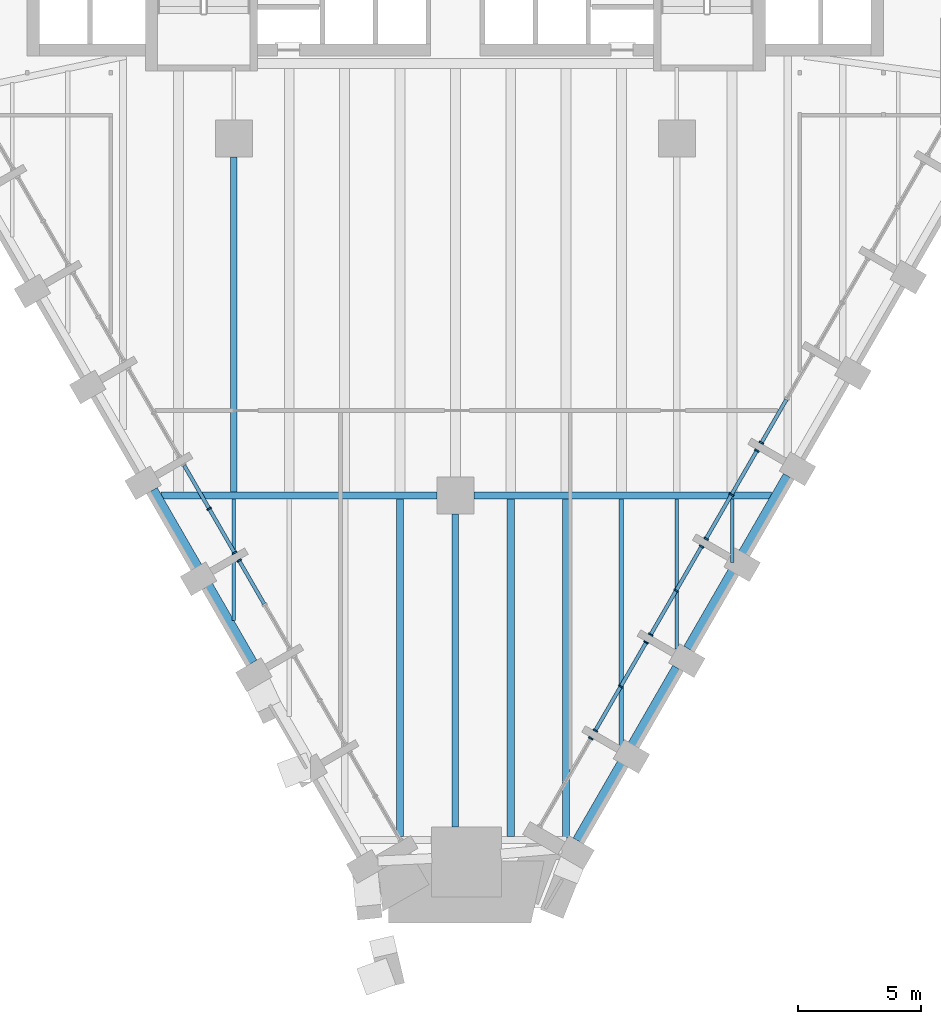
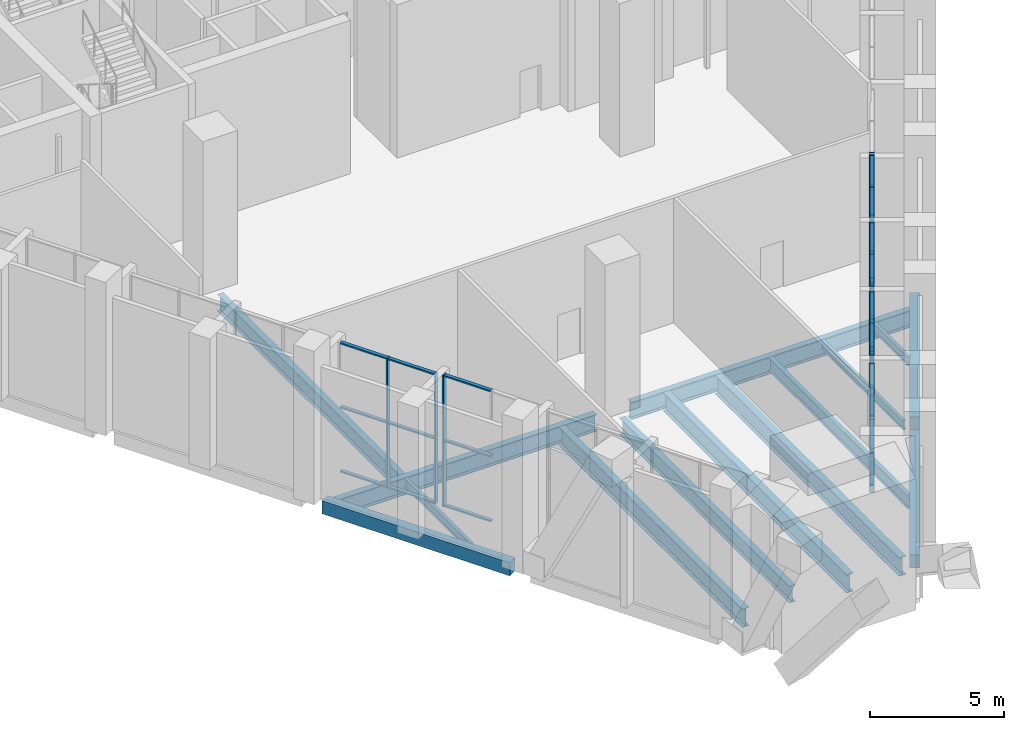
# One storey, part 3 of 17: 43 members, 14 beams, 7 elements without a shape of their own.
"""IFC4 building model written with IfcOpenShell, lengths in metres."""

from ifc_helpers import new_model, si_unit, direction, frame, origin, origin_2d, place, context, subcontext, project, spatial, rectangle, i_section, extrude, material, material_profile, profile_set, type_object, element, aggregate, save


model = new_model("IFC4")

# Units and contexts
model_context = context("Model", 3, precision=1e-05, world=origin(), true_north=direction((0.0, 1.0)))
body_context = subcontext(model_context, "Body", "Model", "MODEL_VIEW")
ifc_project = project(units=[si_unit("LENGTHUNIT", "METRE"), si_unit("AREAUNIT", "SQUARE_METRE"), si_unit("VOLUMEUNIT", "CUBIC_METRE"), si_unit("PLANEANGLEUNIT", "RADIAN"), si_unit("MASSUNIT", "GRAM", prefix="KILO")], contexts=[model_context])

# Site, building, storey
site_placement = place(None, origin())
site = spatial("IfcSite", under=ifc_project, at=site_placement, CompositionType="ELEMENT")
building_placement = place(site_placement, origin())
building = spatial("IfcBuilding", under=site, at=building_placement, Name="Calabash Gate Tower", CompositionType="ELEMENT")
storey_placement = place(building_placement, frame((0.0, 0.0, 132.60009765625)))
storey = spatial("IfcBuildingStorey", under=building, at=storey_placement, Name="L31", CompositionType="ELEMENT", Elevation=132.60009765625)

# Beams
ifc_material_1 = material(Name="Concrete C60/75", Category="concrete")
ifc_material_profile_1 = material_profile(ifc_material_1, rectangle(XDim=0.39990234375, YDim=0.60009765625, at=origin_2d()))
ifc_profile_set_1 = profile_set([ifc_material_profile_1], Name="Concrete C60/75")
beam_type_1 = type_object("IfcBeamType", Name="Edge beam RC 400x600 Concrete C60/75", PredefinedType="BEAM", material=ifc_profile_set_1)
beam_1_placement = place(storey_placement, frame((-12.2900390625, -11.778076171875, -0.47021484375), z_axis=(0.499999880539, -0.866025472755, 0.0), x_axis=(0.866025472755, 0.499999880539, 0.0)))
element("IfcBeam", 1, at=beam_1_placement, inside=storey, type_object=beam_type_1, Name="Edge beam L31 2", PredefinedType="BEAM", context=body_context, shape_type="SweptSolid", body=[
    extrude(rectangle(XDim=0.39990234375, YDim=0.60009765625, at=origin_2d()), origin(), (0.0, 0.0, 1.0), 8.10009765625),
])
beam_2_placement = place(storey_placement, frame((4.9580078125, -26.01708984375, -0.47021484375), z_axis=(0.499986829629, 0.866033007568, 0.0), x_axis=(-0.866033007568, 0.499986829629, 0.0)))
element("IfcBeam", 2, at=beam_2_placement, inside=storey, type_object=beam_type_1, Name="Edge beam L31 6", PredefinedType="BEAM", context=body_context, shape_type="SweptSolid", body=[
    extrude(rectangle(XDim=0.39990234375, YDim=0.60009765625, at=origin_2d()), origin(), (0.0, 0.0, 1.0), 8.100341796875),
])
beam_3_placement = place(storey_placement, frame((9.4580078125, -18.221923828125, -0.47021484375), z_axis=(0.50005208986, 0.865995327601, 0.0), x_axis=(-0.865995327601, 0.50005208986, 0.0)))
element("IfcBeam", 3, at=beam_3_placement, inside=storey, type_object=beam_type_1, Name="Edge beam L31 7", PredefinedType="BEAM", context=body_context, shape_type="SweptSolid", body=[
    extrude(rectangle(XDim=0.39990234375, YDim=0.60009765625, at=origin_2d()), origin(), (0.0, 0.0, 1.0), 8.099365234375),
])
ifc_material_2 = material(Name="Steel ASTM A992 Gr50", Category="steel")
ifc_material_profile_2 = material_profile(ifc_material_2, i_section(OverallWidth=0.1396484375, OverallDepth=0.398681640625, WebThickness=0.00634765625, FlangeThickness=0.0087890625, FilletRadius=0.01025390625, at=origin_2d()))
ifc_profile_set_2 = profile_set([ifc_material_profile_2], Name="Steel ASTM A992 Gr50")
beam_type_2 = type_object("IfcBeamType", Name="Floor beam W16x26 ASTM A992 Gr50", PredefinedType="BEAM", material=ifc_profile_set_2)
beam_4_placement = place(storey_placement, frame((-9.0, -17.087890625, -0.369140625), z_axis=(0.0, 1.0, 0.0), x_axis=(-1.0, 0.0, 0.0)))
element("IfcBeam", 4, at=beam_4_placement, inside=storey, type_object=beam_type_2, Name="Floor beam L31 8", PredefinedType="BEAM", context=body_context, shape_type="SweptSolid", body=[
    extrude(i_section(OverallWidth=0.1396484375, OverallDepth=0.398681640625, WebThickness=0.00634765625, FlangeThickness=0.0087890625, FilletRadius=0.01025390625, at=origin_2d()), origin(), (0.0, 0.0, 1.0), 4.954833984375),
])
beam_5_placement = place(storey_placement, frame((9.0, -18.248046875, -0.369140625), z_axis=(0.0, 1.0, 0.0), x_axis=(-1.0, 0.0, 0.0)))
element("IfcBeam", 5, at=beam_5_placement, inside=storey, type_object=beam_type_2, Name="Floor beam L31 25", PredefinedType="BEAM", context=body_context, shape_type="SweptSolid", body=[
    extrude(i_section(OverallWidth=0.1396484375, OverallDepth=0.398681640625, WebThickness=0.00634765625, FlangeThickness=0.0087890625, FilletRadius=0.01025390625, at=origin_2d()), origin(), (0.0, 0.0, 1.0), 6.114990234375),
])
beam_6_placement = place(storey_placement, frame((11.25, -14.73095703125, -0.369140625), z_axis=(0.0, 1.0, 0.0), x_axis=(-1.0, 0.0, 0.0)))
element("IfcBeam", 6, at=beam_6_placement, inside=storey, type_object=beam_type_2, Name="Floor beam L31 28", PredefinedType="BEAM", context=body_context, shape_type="SweptSolid", body=[
    extrude(i_section(OverallWidth=0.1396484375, OverallDepth=0.398681640625, WebThickness=0.00634765625, FlangeThickness=0.0087890625, FilletRadius=0.01025390625, at=origin_2d()), origin(), (0.0, 0.0, 1.0), 2.597900390625),
])
ifc_material_3 = material(Name="Steel ASTM A992 Gr50", Category="steel")
ifc_material_profile_3 = material_profile(ifc_material_3, i_section(OverallWidth=0.1787109375, OverallDepth=0.60205078125, WebThickness=0.010986328125, FlangeThickness=0.014892578125, FilletRadius=0.0126953125, at=origin_2d()))
ifc_profile_set_3 = profile_set([ifc_material_profile_3], Name="Steel ASTM A992 Gr50")
beam_type_3 = type_object("IfcBeamType", Name="Floor beam W24x62 ASTM A992 Gr50", PredefinedType="BEAM", material=ifc_profile_set_3)
beam_7_placement = place(storey_placement, frame((6.75, -22.5458984375, -0.47119140625), z_axis=(0.0, 1.0, 0.0), x_axis=(-1.0, 0.0, 0.0)))
element("IfcBeam", 7, at=beam_7_placement, inside=storey, type_object=beam_type_3, Name="Floor beam L31 23", PredefinedType="BEAM", context=body_context, shape_type="SweptSolid", body=[
    extrude(i_section(OverallWidth=0.1787109375, OverallDepth=0.60205078125, WebThickness=0.010986328125, FlangeThickness=0.014892578125, FilletRadius=0.0126953125, at=origin_2d()), origin(), (0.0, 0.0, 1.0), 10.412841796875),
])
ifc_material_4 = material(Name="Steel ASTM A992 Gr50", Category="steel")
ifc_material_profile_4 = material_profile(ifc_material_4, i_section(OverallWidth=0.2666015625, OverallDepth=0.7568359375, WebThickness=0.013916015625, FlangeThickness=0.019287109375, FilletRadius=0.0166015625, at=origin_2d()))
ifc_profile_set_4 = profile_set([ifc_material_profile_4], Name="Steel ASTM A992 Gr50")
beam_type_4 = type_object("IfcBeamType", Name="Floor beam W30x108 ASTM A992 Gr50", PredefinedType="BEAM", material=ifc_profile_set_4)
beam_8_placement = place(storey_placement, frame((-9.0, -11.866943359375, -0.548095703125), z_axis=(0.0, 1.0, 0.0), x_axis=(-1.0, 0.0, 0.0)))
element("IfcBeam", 8, at=beam_8_placement, inside=storey, type_object=beam_type_4, Name="Floor beam L31 9", PredefinedType="BEAM", context=body_context, shape_type="SweptSolid", body=[
    extrude(i_section(OverallWidth=0.2666015625, OverallDepth=0.7568359375, WebThickness=0.013916015625, FlangeThickness=0.019287109375, FilletRadius=0.0166015625, at=origin_2d()), origin(), (0.0, 0.0, 1.0), 13.616943359375),
])
beam_9_placement = place(storey_placement, frame((0.0, -25.468017578125, -0.548095703125), z_axis=(0.0, 1.0, 0.0), x_axis=(-1.0, 0.0, 0.0)))
element("IfcBeam", 9, at=beam_9_placement, inside=storey, type_object=beam_type_4, Name="Floor beam L31 17", PredefinedType="BEAM", context=body_context, shape_type="SweptSolid", body=[
    extrude(i_section(OverallWidth=0.2666015625, OverallDepth=0.7568359375, WebThickness=0.013916015625, FlangeThickness=0.019287109375, FilletRadius=0.0166015625, at=origin_2d()), origin(), (0.0, 0.0, 1.0), 12.718017578125),
])
ifc_material_5 = material(Name="Steel ASTM A992 Gr50", Category="steel")
ifc_material_profile_5 = material_profile(ifc_material_5, i_section(OverallWidth=0.2919921875, OverallDepth=0.845703125, WebThickness=0.015380859375, FlangeThickness=0.0244140625, FilletRadius=0.017822265625, at=origin_2d()))
ifc_profile_set_5 = profile_set([ifc_material_profile_5], Name="Steel ASTM A992 Gr50")
beam_type_5 = type_object("IfcBeamType", Name="Floor beam W33x141 ASTM A992 Gr50", PredefinedType="BEAM", material=ifc_profile_set_5)
for number, where, z_axis, x_axis, name in (
    (10, (-2.25, -25.866943359375, -0.593017578125), (0.0, 1.0, 0.0), (-1.0, 0.0, 0.0), "Floor beam L31 15"),
    (11, (2.25, -25.866943359375, -0.593017578125), (0.0, 1.0, 0.0), (-1.0, 0.0, 0.0), "Floor beam L31 19"),
):
    element("IfcBeam", number, at=place(storey_placement, frame(where, z_axis=z_axis, x_axis=x_axis)), inside=storey, type_object=beam_type_5, Name=name, PredefinedType="BEAM", context=body_context, shape_type="SweptSolid", body=[
        extrude(i_section(OverallWidth=0.2919921875, OverallDepth=0.845703125, WebThickness=0.015380859375, FlangeThickness=0.0244140625, FilletRadius=0.017822265625, at=origin_2d()), origin(), (0.0, 0.0, 1.0), 13.73388671875),
    ])
beam_10_placement = place(storey_placement, frame((4.5, -25.89892578125, -0.593017578125), z_axis=(0.0, 1.0, 0.0), x_axis=(-1.0, 0.0, 0.0)))
element("IfcBeam", 12, at=beam_10_placement, inside=storey, type_object=beam_type_5, Name="Floor beam L31 21", PredefinedType="BEAM", context=body_context, shape_type="SweptSolid", body=[
    extrude(i_section(OverallWidth=0.2919921875, OverallDepth=0.845703125, WebThickness=0.015380859375, FlangeThickness=0.0244140625, FilletRadius=0.017822265625, at=origin_2d()), origin(), (0.0, 0.0, 1.0), 13.765869140625),
])
ifc_material_6 = material(Name="Steel ASTM A992 Gr50", Category="steel")
ifc_material_profile_6 = material_profile(ifc_material_6, i_section(OverallWidth=0.2666015625, OverallDepth=0.77978515625, WebThickness=0.0166015625, FlangeThickness=0.030029296875, FilletRadius=0.0166015625, at=origin_2d()))
ifc_profile_set_6 = profile_set([ifc_material_profile_6], Name="Steel ASTM A992 Gr50")
beam_type_6 = type_object("IfcBeamType", Name="Girder W30x148 ASTM A992 Gr50", PredefinedType="BEAM", material=ifc_profile_set_6)
beam_11_placement = place(storey_placement, frame((-11.962890625, -12.0, -0.56005859375), z_axis=(1.0, 0.0, 0.0), x_axis=(0.0, 1.0, 0.0)))
element("IfcBeam", 13, at=beam_11_placement, inside=storey, type_object=beam_type_6, Name="Girder L31 4", PredefinedType="BEAM", context=body_context, shape_type="SweptSolid", body=[
    extrude(i_section(OverallWidth=0.2666015625, OverallDepth=0.77978515625, WebThickness=0.0166015625, FlangeThickness=0.030029296875, FilletRadius=0.0166015625, at=origin_2d()), origin(), (0.0, 0.0, 1.0), 11.212890625),
])
beam_12_placement = place(storey_placement, frame((0.75, -12.0, -0.56005859375), z_axis=(1.0, 0.0, 0.0), x_axis=(0.0, 1.0, 0.0)))
element("IfcBeam", 14, at=beam_12_placement, inside=storey, type_object=beam_type_6, Name="Girder L31 5", PredefinedType="BEAM", context=body_context, shape_type="SweptSolid", body=[
    extrude(i_section(OverallWidth=0.2666015625, OverallDepth=0.77978515625, WebThickness=0.0166015625, FlangeThickness=0.030029296875, FilletRadius=0.0166015625, at=origin_2d()), origin(), (0.0, 0.0, 1.0), 12.10205078125),
])

# Curtain wall, members
ifc_material_7 = material(Name="Anodised aluminium frame, bronze finish, clear laminated low-emissivity glazing", Category="aluminium")
curtain_wall_type = type_object("IfcCurtainWallType", Name="Curtain wall CWS sky lobby wall", PredefinedType="NOTDEFINED", material=ifc_material_7)
curtain_wall_1_placement = place(storey_placement, origin())
curtain_wall_1 = element("IfcCurtainWall", 15, at=curtain_wall_1_placement, inside=storey, type_object=curtain_wall_type, Name="Curtain wall CWS L31 SW0.7", PredefinedType="NOTDEFINED")
ifc_material_8 = material(Name="Anodised aluminium frame, bronze finish", Category="aluminium")
ifc_material_profile_7 = material_profile(ifc_material_8, rectangle(XDim=0.199951171875, YDim=0.06494140625, at=origin_2d()))
ifc_profile_set_7 = profile_set([ifc_material_profile_7], Name="Anodised aluminium frame, bronze finish")
member_type_1 = type_object("IfcMemberType", Name="Mullion CWS 65x200", PredefinedType="MULLION", material=ifc_profile_set_7)
member_1_placement = place(storey_placement, frame((-10.00439453125, -12.536865234375, 0.0), z_axis=(0.0, 0.0, 1.0), x_axis=(0.866025362359, 0.500000071751, 0.0)))
member_1 = element("IfcMember", 16, at=member_1_placement, type_object=member_type_1, Name="CWS mullion 2", PredefinedType="MULLION", context=body_context, shape_type="SweptSolid", body=[
    extrude(rectangle(XDim=0.199951171875, YDim=0.06494140625, at=origin_2d()), origin(), (0.0, 0.0, 1.0), 5.919921875),
])
member_2_placement = place(storey_placement, frame((-8.970703125, -14.327392578125, 0.0), z_axis=(0.0, 0.0, 1.0), x_axis=(0.866025362359, 0.500000071751, 0.0)))
member_2 = element("IfcMember", 17, at=member_2_placement, type_object=member_type_1, Name="CWS mullion 3", PredefinedType="MULLION", context=body_context, shape_type="SweptSolid", body=[
    extrude(rectangle(XDim=0.199951171875, YDim=0.06494140625, at=origin_2d()), origin(), (0.0, 0.0, 1.0), 5.919921875),
])

# Curtain wall, member
curtain_wall_2_placement = place(storey_placement, origin())
curtain_wall_2 = element("IfcCurtainWall", 18, at=curtain_wall_2_placement, inside=storey, type_object=curtain_wall_type, Name="Curtain wall CWS L31 SW0.8", PredefinedType="NOTDEFINED")
member_3_placement = place(storey_placement, frame((-8.7880859375, -14.643310546875, 0.0), z_axis=(0.0, 0.0, 1.0), x_axis=(0.866025421884, 0.499999968652, 0.0)))
member_3 = element("IfcMember", 19, at=member_3_placement, type_object=member_type_1, Name="CWS mullion 1", PredefinedType="MULLION", context=body_context, shape_type="SweptSolid", body=[
    extrude(rectangle(XDim=0.199951171875, YDim=0.06494140625, at=origin_2d()), origin(), (0.0, 0.0, 1.0), 6.0),
])

curtain_wall_3_placement = place(storey_placement, origin())
curtain_wall_3 = element("IfcCurtainWall", 20, at=curtain_wall_3_placement, inside=storey, type_object=curtain_wall_type, Name="Curtain wall CWS L31 SE2.1", PredefinedType="NOTDEFINED")
member_4_placement = place(storey_placement, frame((5.506591796875, -21.867431640625, 0.0), z_axis=(0.0, 0.0, 1.0), x_axis=(-0.866025421884, 0.499999968652, 0.0)))
member_4 = element("IfcMember", 21, at=member_4_placement, type_object=member_type_1, Name="CWS mullion 3", PredefinedType="MULLION", context=body_context, shape_type="SweptSolid", body=[
    extrude(rectangle(XDim=0.199951171875, YDim=0.06494140625, at=origin_2d()), origin(), (0.0, 0.0, 1.0), 5.85400390625),
])
aggregate(curtain_wall_3, [member_4])

# Curtain wall, members
curtain_wall_4_placement = place(storey_placement, origin())
curtain_wall_4 = element("IfcCurtainWall", 22, at=curtain_wall_4_placement, inside=storey, type_object=curtain_wall_type, Name="Curtain wall CWS L31 SE2.2", PredefinedType="NOTDEFINED")
member_5_placement = place(storey_placement, frame((5.68896484375, -21.55126953125, 0.0), z_axis=(0.0, 0.0, 1.0), x_axis=(-0.866025362359, 0.500000071751, 0.0)))
member_5 = element("IfcMember", 23, at=member_5_placement, type_object=member_type_1, Name="CWS mullion 1", PredefinedType="MULLION", context=body_context, shape_type="SweptSolid", body=[
    extrude(rectangle(XDim=0.199951171875, YDim=0.06494140625, at=origin_2d()), origin(), (0.0, 0.0, 1.0), 6.0),
])
member_6_placement = place(storey_placement, frame((6.72265625, -19.7607421875, 0.0), z_axis=(0.0, 0.0, 1.0), x_axis=(-0.866025362359, 0.500000071751, 0.0)))
member_6 = element("IfcMember", 24, at=member_6_placement, type_object=member_type_1, Name="CWS mullion 2", PredefinedType="MULLION", context=body_context, shape_type="SweptSolid", body=[
    extrude(rectangle(XDim=0.199951171875, YDim=0.06494140625, at=origin_2d()), origin(), (0.0, 0.0, 1.0), 6.0),
])
member_7_placement = place(storey_placement, frame((7.756591796875, -17.97021484375, 0.0), z_axis=(0.0, 0.0, 1.0), x_axis=(-0.866025362359, 0.500000071751, 0.0)))
member_7 = element("IfcMember", 25, at=member_7_placement, type_object=member_type_1, Name="CWS mullion 3", PredefinedType="MULLION", context=body_context, shape_type="SweptSolid", body=[
    extrude(rectangle(XDim=0.199951171875, YDim=0.06494140625, at=origin_2d()), origin(), (0.0, 0.0, 1.0), 6.0),
])

curtain_wall_5_placement = place(storey_placement, origin())
curtain_wall_5 = element("IfcCurtainWall", 26, at=curtain_wall_5_placement, inside=storey, type_object=curtain_wall_type, Name="Curtain wall CWS L31 SE2.3", PredefinedType="NOTDEFINED")
member_8_placement = place(storey_placement, frame((7.93896484375, -17.654052734375, 0.0), z_axis=(0.0, 0.0, 1.0), x_axis=(-0.866025421884, 0.499999968652, 0.0)))
member_8 = element("IfcMember", 27, at=member_8_placement, type_object=member_type_1, Name="CWS mullion 1", PredefinedType="MULLION", context=body_context, shape_type="SweptSolid", body=[
    extrude(rectangle(XDim=0.199951171875, YDim=0.06494140625, at=origin_2d()), origin(), (0.0, 0.0, 1.0), 6.0),
])
member_9_placement = place(storey_placement, frame((8.97265625, -15.863525390625, 0.0), z_axis=(0.0, 0.0, 1.0), x_axis=(-0.866025421884, 0.499999968652, 0.0)))
member_9 = element("IfcMember", 28, at=member_9_placement, type_object=member_type_1, Name="CWS mullion 2", PredefinedType="MULLION", context=body_context, shape_type="SweptSolid", body=[
    extrude(rectangle(XDim=0.199951171875, YDim=0.06494140625, at=origin_2d()), origin(), (0.0, 0.0, 1.0), 6.0),
])
member_10_placement = place(storey_placement, frame((10.006591796875, -14.072998046875, 0.0), z_axis=(0.0, 0.0, 1.0), x_axis=(-0.866025421884, 0.499999968652, 0.0)))
member_10 = element("IfcMember", 29, at=member_10_placement, type_object=member_type_1, Name="CWS mullion 3", PredefinedType="MULLION", context=body_context, shape_type="SweptSolid", body=[
    extrude(rectangle(XDim=0.199951171875, YDim=0.06494140625, at=origin_2d()), origin(), (0.0, 0.0, 1.0), 6.0),
])

curtain_wall_6_placement = place(storey_placement, origin())
curtain_wall_6 = element("IfcCurtainWall", 30, at=curtain_wall_6_placement, inside=storey, type_object=curtain_wall_type, Name="Curtain wall CWS L31 SE2.4", PredefinedType="NOTDEFINED")
member_11_placement = place(storey_placement, frame((10.18896484375, -13.757080078125, 0.0), z_axis=(0.0, 0.0, 1.0), x_axis=(-0.866025421884, 0.499999968652, 0.0)))
member_11 = element("IfcMember", 31, at=member_11_placement, type_object=member_type_1, Name="CWS mullion 1", PredefinedType="MULLION", context=body_context, shape_type="SweptSolid", body=[
    extrude(rectangle(XDim=0.199951171875, YDim=0.06494140625, at=origin_2d()), origin(), (0.0, 0.0, 1.0), 5.919921875),
])
member_12_placement = place(storey_placement, frame((11.22265625, -11.966552734375, 0.0), z_axis=(0.0, 0.0, 1.0), x_axis=(-0.866025421884, 0.499999968652, 0.0)))
member_12 = element("IfcMember", 32, at=member_12_placement, type_object=member_type_1, Name="CWS mullion 2", PredefinedType="MULLION", context=body_context, shape_type="SweptSolid", body=[
    extrude(rectangle(XDim=0.199951171875, YDim=0.06494140625, at=origin_2d()), origin(), (0.0, 0.0, 1.0), 5.919921875),
])
member_13_placement = place(storey_placement, frame((12.256591796875, -10.176025390625, 0.0), z_axis=(0.0, 0.0, 1.0), x_axis=(-0.866025421884, 0.499999968652, 0.0)))
member_13 = element("IfcMember", 33, at=member_13_placement, type_object=member_type_1, Name="CWS mullion 3", PredefinedType="MULLION", context=body_context, shape_type="SweptSolid", body=[
    extrude(rectangle(XDim=0.199951171875, YDim=0.06494140625, at=origin_2d()), origin(), (0.0, 0.0, 1.0), 5.919921875),
])

# Curtain wall, member
curtain_wall_7_placement = place(storey_placement, origin())
curtain_wall_7 = element("IfcCurtainWall", 34, at=curtain_wall_7_placement, inside=storey, type_object=curtain_wall_type, Name="Curtain wall CWS L31 SE2.5", PredefinedType="NOTDEFINED")
member_14_placement = place(storey_placement, frame((12.43896484375, -9.85986328125, 0.0), z_axis=(0.0, 0.0, 1.0), x_axis=(-0.866025362359, 0.500000071751, 0.0)))
member_14 = element("IfcMember", 35, at=member_14_placement, type_object=member_type_1, Name="CWS mullion 1", PredefinedType="MULLION", context=body_context, shape_type="SweptSolid", body=[
    extrude(rectangle(XDim=0.199951171875, YDim=0.06494140625, at=origin_2d()), origin(), (0.0, 0.0, 1.0), 5.77783203125),
])

# Member
ifc_material_9 = material(Name="Anodised aluminium frame, bronze finish", Category="aluminium")
ifc_material_profile_8 = material_profile(ifc_material_9, rectangle(XDim=0.14990234375, YDim=0.06494140625, at=origin_2d()))
ifc_profile_set_8 = profile_set([ifc_material_profile_8], Name="Anodised aluminium frame, bronze finish")
member_type_2 = type_object("IfcMemberType", Name="Transom CWS 65x150", PredefinedType="USERDEFINED", material=ifc_profile_set_8)
member_15_placement = place(storey_placement, frame((-11.021728515625, -10.7744140625, 0.032470703125), z_axis=(0.499954620082, -0.866051602307, 0.0), x_axis=(0.866051602307, 0.499954620082, 0.0)))
member_15 = element("IfcMember", 36, at=member_15_placement, type_object=member_type_2, Name="CWS transom 1.1", ObjectType="TRANSOM", PredefinedType="USERDEFINED", context=body_context, shape_type="SweptSolid", body=[
    extrude(rectangle(XDim=0.14990234375, YDim=0.06494140625, at=origin_2d()), origin(), (0.0, 0.0, 1.0), 2.002685546875),
])

member_16_placement = place(storey_placement, frame((-11.021728515625, -10.7744140625, 2.9599609375), z_axis=(0.499954620082, -0.866051602307, 0.0), x_axis=(0.866051602307, 0.499954620082, 0.0)))
member_16 = element("IfcMember", 37, at=member_16_placement, type_object=member_type_2, Name="CWS transom 1.2", ObjectType="TRANSOM", PredefinedType="USERDEFINED", context=body_context, shape_type="SweptSolid", body=[
    extrude(rectangle(XDim=0.14990234375, YDim=0.06494140625, at=origin_2d()), origin(), (0.0, 0.0, 1.0), 2.002685546875),
])

member_17_placement = place(storey_placement, frame((-11.021728515625, -10.7744140625, 5.887451171875), z_axis=(0.499954620082, -0.866051602307, 0.0), x_axis=(0.866051602307, 0.499954620082, 0.0)))
member_17 = element("IfcMember", 38, at=member_17_placement, type_object=member_type_2, Name="CWS transom 1.3", ObjectType="TRANSOM", PredefinedType="USERDEFINED", context=body_context, shape_type="SweptSolid", body=[
    extrude(rectangle(XDim=0.14990234375, YDim=0.06494140625, at=origin_2d()), origin(), (0.0, 0.0, 1.0), 2.002685546875),
])

member_18_placement = place(storey_placement, frame((-9.988037109375, -12.56494140625, 0.032470703125), z_axis=(0.500007410291, -0.866021125408, 0.0), x_axis=(0.866021125408, 0.500007410291, 0.0)))
member_18 = element("IfcMember", 39, at=member_18_placement, type_object=member_type_2, Name="CWS transom 2.1", ObjectType="TRANSOM", PredefinedType="USERDEFINED", context=body_context, shape_type="SweptSolid", body=[
    extrude(rectangle(XDim=0.14990234375, YDim=0.06494140625, at=origin_2d()), origin(), (0.0, 0.0, 1.0), 2.00244140625),
])

member_19_placement = place(storey_placement, frame((-9.988037109375, -12.56494140625, 2.9599609375), z_axis=(0.500007410291, -0.866021125408, 0.0), x_axis=(0.866021125408, 0.500007410291, 0.0)))
member_19 = element("IfcMember", 40, at=member_19_placement, type_object=member_type_2, Name="CWS transom 2.2", ObjectType="TRANSOM", PredefinedType="USERDEFINED", context=body_context, shape_type="SweptSolid", body=[
    extrude(rectangle(XDim=0.14990234375, YDim=0.06494140625, at=origin_2d()), origin(), (0.0, 0.0, 1.0), 2.00244140625),
])

member_20_placement = place(storey_placement, frame((-9.988037109375, -12.56494140625, 5.887451171875), z_axis=(0.500007410291, -0.866021125408, 0.0), x_axis=(0.866021125408, 0.500007410291, 0.0)))
member_20 = element("IfcMember", 41, at=member_20_placement, type_object=member_type_2, Name="CWS transom 2.3", ObjectType="TRANSOM", PredefinedType="USERDEFINED", context=body_context, shape_type="SweptSolid", body=[
    extrude(rectangle(XDim=0.14990234375, YDim=0.06494140625, at=origin_2d()), origin(), (0.0, 0.0, 1.0), 2.00244140625),
])

aggregate(curtain_wall_1, [member_1, member_2, member_15, member_16, member_17, member_18, member_19, member_20])

member_21_placement = place(storey_placement, frame((-8.771728515625, -14.671630859375, 0.032470703125), z_axis=(0.500007410291, -0.866021125408, 0.0), x_axis=(0.866021125408, 0.500007410291, 0.0)))
member_21 = element("IfcMember", 42, at=member_21_placement, type_object=member_type_2, Name="CWS transom 1.1", ObjectType="TRANSOM", PredefinedType="USERDEFINED", context=body_context, shape_type="SweptSolid", body=[
    extrude(rectangle(XDim=0.14990234375, YDim=0.06494140625, at=origin_2d()), origin(), (0.0, 0.0, 1.0), 2.00244140625),
])

member_22_placement = place(storey_placement, frame((-8.771728515625, -14.671630859375, 3.0), z_axis=(0.500007410291, -0.866021125408, 0.0), x_axis=(0.866021125408, 0.500007410291, 0.0)))
member_22 = element("IfcMember", 43, at=member_22_placement, type_object=member_type_2, Name="CWS transom 1.2", ObjectType="TRANSOM", PredefinedType="USERDEFINED", context=body_context, shape_type="SweptSolid", body=[
    extrude(rectangle(XDim=0.14990234375, YDim=0.06494140625, at=origin_2d()), origin(), (0.0, 0.0, 1.0), 2.00244140625),
])

member_23_placement = place(storey_placement, frame((-8.771728515625, -14.671630859375, 5.96728515625), z_axis=(0.500007410291, -0.866021125408, 0.0), x_axis=(0.866021125408, 0.500007410291, 0.0)))
member_23 = element("IfcMember", 44, at=member_23_placement, type_object=member_type_2, Name="CWS transom 1.3", ObjectType="TRANSOM", PredefinedType="USERDEFINED", context=body_context, shape_type="SweptSolid", body=[
    extrude(rectangle(XDim=0.14990234375, YDim=0.06494140625, at=origin_2d()), origin(), (0.0, 0.0, 1.0), 2.00244140625),
])

aggregate(curtain_wall_2, [member_3, member_21, member_22, member_23])

member_24_placement = place(storey_placement, frame((5.705322265625, -21.523193359375, 0.032470703125), z_axis=(0.499954620082, 0.866051602307, 0.0), x_axis=(-0.866051602307, 0.499954620082, 0.0)))
member_24 = element("IfcMember", 45, at=member_24_placement, type_object=member_type_2, Name="CWS transom 1.1", ObjectType="TRANSOM", PredefinedType="USERDEFINED", context=body_context, shape_type="SweptSolid", body=[
    extrude(rectangle(XDim=0.14990234375, YDim=0.06494140625, at=origin_2d()), origin(), (0.0, 0.0, 1.0), 2.002685546875),
])

member_25_placement = place(storey_placement, frame((5.705322265625, -21.523193359375, 3.0), z_axis=(0.499954620082, 0.866051602307, 0.0), x_axis=(-0.866051602307, 0.499954620082, 0.0)))
member_25 = element("IfcMember", 46, at=member_25_placement, type_object=member_type_2, Name="CWS transom 1.2", ObjectType="TRANSOM", PredefinedType="USERDEFINED", context=body_context, shape_type="SweptSolid", body=[
    extrude(rectangle(XDim=0.14990234375, YDim=0.06494140625, at=origin_2d()), origin(), (0.0, 0.0, 1.0), 2.002685546875),
])

member_26_placement = place(storey_placement, frame((5.705322265625, -21.523193359375, 5.96728515625), z_axis=(0.499954620082, 0.866051602307, 0.0), x_axis=(-0.866051602307, 0.499954620082, 0.0)))
member_26 = element("IfcMember", 47, at=member_26_placement, type_object=member_type_2, Name="CWS transom 1.3", ObjectType="TRANSOM", PredefinedType="USERDEFINED", context=body_context, shape_type="SweptSolid", body=[
    extrude(rectangle(XDim=0.14990234375, YDim=0.06494140625, at=origin_2d()), origin(), (0.0, 0.0, 1.0), 2.002685546875),
])

member_27_placement = place(storey_placement, frame((6.739013671875, -19.732666015625, 0.032470703125), z_axis=(0.499954620082, 0.866051602307, 0.0), x_axis=(-0.866051602307, 0.499954620082, 0.0)))
member_27 = element("IfcMember", 48, at=member_27_placement, type_object=member_type_2, Name="CWS transom 2.1", ObjectType="TRANSOM", PredefinedType="USERDEFINED", context=body_context, shape_type="SweptSolid", body=[
    extrude(rectangle(XDim=0.14990234375, YDim=0.06494140625, at=origin_2d()), origin(), (0.0, 0.0, 1.0), 2.002685546875),
])

member_28_placement = place(storey_placement, frame((6.739013671875, -19.732666015625, 3.0), z_axis=(0.499954620082, 0.866051602307, 0.0), x_axis=(-0.866051602307, 0.499954620082, 0.0)))
member_28 = element("IfcMember", 49, at=member_28_placement, type_object=member_type_2, Name="CWS transom 2.2", ObjectType="TRANSOM", PredefinedType="USERDEFINED", context=body_context, shape_type="SweptSolid", body=[
    extrude(rectangle(XDim=0.14990234375, YDim=0.06494140625, at=origin_2d()), origin(), (0.0, 0.0, 1.0), 2.002685546875),
])

member_29_placement = place(storey_placement, frame((6.739013671875, -19.732666015625, 5.96728515625), z_axis=(0.499954620082, 0.866051602307, 0.0), x_axis=(-0.866051602307, 0.499954620082, 0.0)))
member_29 = element("IfcMember", 50, at=member_29_placement, type_object=member_type_2, Name="CWS transom 2.3", ObjectType="TRANSOM", PredefinedType="USERDEFINED", context=body_context, shape_type="SweptSolid", body=[
    extrude(rectangle(XDim=0.14990234375, YDim=0.06494140625, at=origin_2d()), origin(), (0.0, 0.0, 1.0), 2.002685546875),
])

aggregate(curtain_wall_4, [member_5, member_6, member_7, member_24, member_25, member_26, member_27, member_28, member_29])

member_30_placement = place(storey_placement, frame((7.955322265625, -17.6259765625, 0.032470703125), z_axis=(0.500007410291, 0.866021125408, 0.0), x_axis=(-0.866021125408, 0.500007410291, 0.0)))
member_30 = element("IfcMember", 51, at=member_30_placement, type_object=member_type_2, Name="CWS transom 1.1", ObjectType="TRANSOM", PredefinedType="USERDEFINED", context=body_context, shape_type="SweptSolid", body=[
    extrude(rectangle(XDim=0.14990234375, YDim=0.06494140625, at=origin_2d()), origin(), (0.0, 0.0, 1.0), 2.00244140625),
])

member_31_placement = place(storey_placement, frame((7.955322265625, -17.6259765625, 3.0), z_axis=(0.500007410291, 0.866021125408, 0.0), x_axis=(-0.866021125408, 0.500007410291, 0.0)))
member_31 = element("IfcMember", 52, at=member_31_placement, type_object=member_type_2, Name="CWS transom 1.2", ObjectType="TRANSOM", PredefinedType="USERDEFINED", context=body_context, shape_type="SweptSolid", body=[
    extrude(rectangle(XDim=0.14990234375, YDim=0.06494140625, at=origin_2d()), origin(), (0.0, 0.0, 1.0), 2.00244140625),
])

member_32_placement = place(storey_placement, frame((7.955322265625, -17.6259765625, 5.96728515625), z_axis=(0.500007410291, 0.866021125408, 0.0), x_axis=(-0.866021125408, 0.500007410291, 0.0)))
member_32 = element("IfcMember", 53, at=member_32_placement, type_object=member_type_2, Name="CWS transom 1.3", ObjectType="TRANSOM", PredefinedType="USERDEFINED", context=body_context, shape_type="SweptSolid", body=[
    extrude(rectangle(XDim=0.14990234375, YDim=0.06494140625, at=origin_2d()), origin(), (0.0, 0.0, 1.0), 2.00244140625),
])

member_33_placement = place(storey_placement, frame((8.989013671875, -15.83544921875, 0.032470703125), z_axis=(0.500007410291, 0.866021125408, 0.0), x_axis=(-0.866021125408, 0.500007410291, 0.0)))
member_33 = element("IfcMember", 54, at=member_33_placement, type_object=member_type_2, Name="CWS transom 2.1", ObjectType="TRANSOM", PredefinedType="USERDEFINED", context=body_context, shape_type="SweptSolid", body=[
    extrude(rectangle(XDim=0.14990234375, YDim=0.06494140625, at=origin_2d()), origin(), (0.0, 0.0, 1.0), 2.00244140625),
])

member_34_placement = place(storey_placement, frame((8.989013671875, -15.83544921875, 3.0), z_axis=(0.500007410291, 0.866021125408, 0.0), x_axis=(-0.866021125408, 0.500007410291, 0.0)))
member_34 = element("IfcMember", 55, at=member_34_placement, type_object=member_type_2, Name="CWS transom 2.2", ObjectType="TRANSOM", PredefinedType="USERDEFINED", context=body_context, shape_type="SweptSolid", body=[
    extrude(rectangle(XDim=0.14990234375, YDim=0.06494140625, at=origin_2d()), origin(), (0.0, 0.0, 1.0), 2.00244140625),
])

member_35_placement = place(storey_placement, frame((8.989013671875, -15.83544921875, 5.96728515625), z_axis=(0.500007410291, 0.866021125408, 0.0), x_axis=(-0.866021125408, 0.500007410291, 0.0)))
member_35 = element("IfcMember", 56, at=member_35_placement, type_object=member_type_2, Name="CWS transom 2.3", ObjectType="TRANSOM", PredefinedType="USERDEFINED", context=body_context, shape_type="SweptSolid", body=[
    extrude(rectangle(XDim=0.14990234375, YDim=0.06494140625, at=origin_2d()), origin(), (0.0, 0.0, 1.0), 2.00244140625),
])

aggregate(curtain_wall_5, [member_8, member_9, member_10, member_30, member_31, member_32, member_33, member_34, member_35])

member_36_placement = place(storey_placement, frame((10.205322265625, -13.728759765625, 0.032470703125), z_axis=(0.500007410291, 0.866021125408, 0.0), x_axis=(-0.866021125408, 0.500007410291, 0.0)))
member_36 = element("IfcMember", 57, at=member_36_placement, type_object=member_type_2, Name="CWS transom 1.1", ObjectType="TRANSOM", PredefinedType="USERDEFINED", context=body_context, shape_type="SweptSolid", body=[
    extrude(rectangle(XDim=0.14990234375, YDim=0.06494140625, at=origin_2d()), origin(), (0.0, 0.0, 1.0), 2.00244140625),
])

member_37_placement = place(storey_placement, frame((10.205322265625, -13.728759765625, 2.9599609375), z_axis=(0.500007410291, 0.866021125408, 0.0), x_axis=(-0.866021125408, 0.500007410291, 0.0)))
member_37 = element("IfcMember", 58, at=member_37_placement, type_object=member_type_2, Name="CWS transom 1.2", ObjectType="TRANSOM", PredefinedType="USERDEFINED", context=body_context, shape_type="SweptSolid", body=[
    extrude(rectangle(XDim=0.14990234375, YDim=0.06494140625, at=origin_2d()), origin(), (0.0, 0.0, 1.0), 2.00244140625),
])

member_38_placement = place(storey_placement, frame((10.205322265625, -13.728759765625, 5.887451171875), z_axis=(0.500007410291, 0.866021125408, 0.0), x_axis=(-0.866021125408, 0.500007410291, 0.0)))
member_38 = element("IfcMember", 59, at=member_38_placement, type_object=member_type_2, Name="CWS transom 1.3", ObjectType="TRANSOM", PredefinedType="USERDEFINED", context=body_context, shape_type="SweptSolid", body=[
    extrude(rectangle(XDim=0.14990234375, YDim=0.06494140625, at=origin_2d()), origin(), (0.0, 0.0, 1.0), 2.00244140625),
])

member_39_placement = place(storey_placement, frame((11.239013671875, -11.9384765625, 0.032470703125), z_axis=(0.499954620082, 0.866051602307, 0.0), x_axis=(-0.866051602307, 0.499954620082, 0.0)))
member_39 = element("IfcMember", 60, at=member_39_placement, type_object=member_type_2, Name="CWS transom 2.1", ObjectType="TRANSOM", PredefinedType="USERDEFINED", context=body_context, shape_type="SweptSolid", body=[
    extrude(rectangle(XDim=0.14990234375, YDim=0.06494140625, at=origin_2d()), origin(), (0.0, 0.0, 1.0), 2.002685546875),
])

member_40_placement = place(storey_placement, frame((11.239013671875, -11.9384765625, 2.9599609375), z_axis=(0.499954620082, 0.866051602307, 0.0), x_axis=(-0.866051602307, 0.499954620082, 0.0)))
member_40 = element("IfcMember", 61, at=member_40_placement, type_object=member_type_2, Name="CWS transom 2.2", ObjectType="TRANSOM", PredefinedType="USERDEFINED", context=body_context, shape_type="SweptSolid", body=[
    extrude(rectangle(XDim=0.14990234375, YDim=0.06494140625, at=origin_2d()), origin(), (0.0, 0.0, 1.0), 2.002685546875),
])

member_41_placement = place(storey_placement, frame((11.239013671875, -11.9384765625, 5.887451171875), z_axis=(0.499954620082, 0.866051602307, 0.0), x_axis=(-0.866051602307, 0.499954620082, 0.0)))
member_41 = element("IfcMember", 62, at=member_41_placement, type_object=member_type_2, Name="CWS transom 2.3", ObjectType="TRANSOM", PredefinedType="USERDEFINED", context=body_context, shape_type="SweptSolid", body=[
    extrude(rectangle(XDim=0.14990234375, YDim=0.06494140625, at=origin_2d()), origin(), (0.0, 0.0, 1.0), 2.002685546875),
])

aggregate(curtain_wall_6, [member_11, member_12, member_13, member_36, member_37, member_38, member_39, member_40, member_41])

member_42_placement = place(storey_placement, frame((12.455322265625, -9.831787109375, 0.032470703125), z_axis=(0.500007410291, 0.866021125408, 0.0), x_axis=(-0.866021125408, 0.500007410291, 0.0)))
member_42 = element("IfcMember", 63, at=member_42_placement, type_object=member_type_2, Name="CWS transom 1.1", ObjectType="TRANSOM", PredefinedType="USERDEFINED", context=body_context, shape_type="SweptSolid", body=[
    extrude(rectangle(XDim=0.14990234375, YDim=0.06494140625, at=origin_2d()), origin(), (0.0, 0.0, 1.0), 2.00244140625),
])

member_43_placement = place(storey_placement, frame((12.455322265625, -9.831787109375, 2.888916015625), z_axis=(0.500007410291, 0.866021125408, 0.0), x_axis=(-0.866021125408, 0.500007410291, 0.0)))
member_43 = element("IfcMember", 64, at=member_43_placement, type_object=member_type_2, Name="CWS transom 1.2", ObjectType="TRANSOM", PredefinedType="USERDEFINED", context=body_context, shape_type="SweptSolid", body=[
    extrude(rectangle(XDim=0.14990234375, YDim=0.06494140625, at=origin_2d()), origin(), (0.0, 0.0, 1.0), 2.00244140625),
])

aggregate(curtain_wall_7, [member_14, member_42, member_43])

save(model, "model.ifc")
